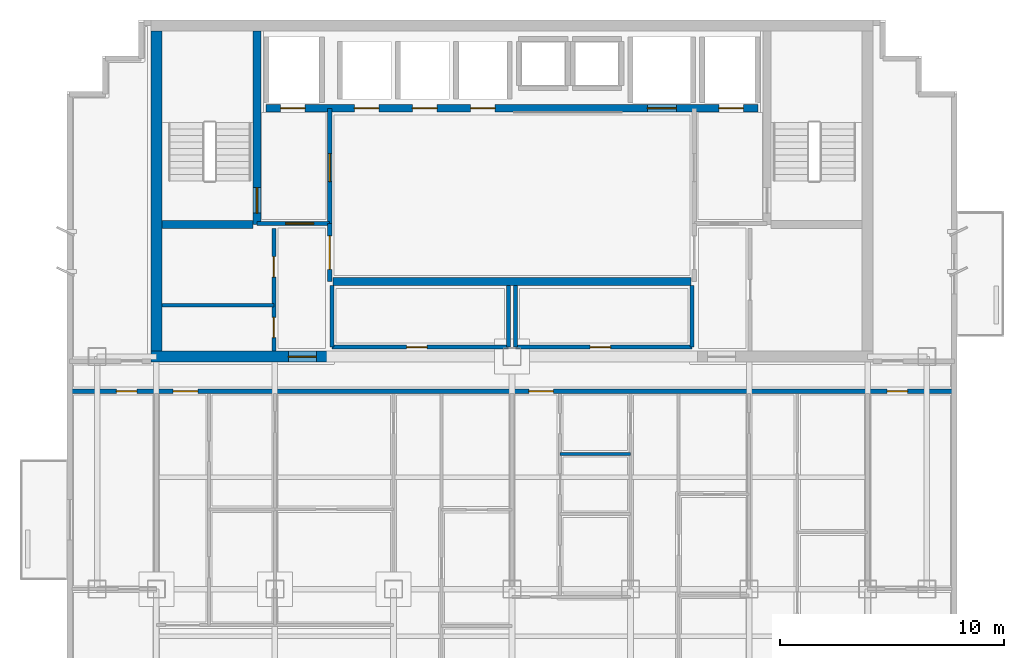
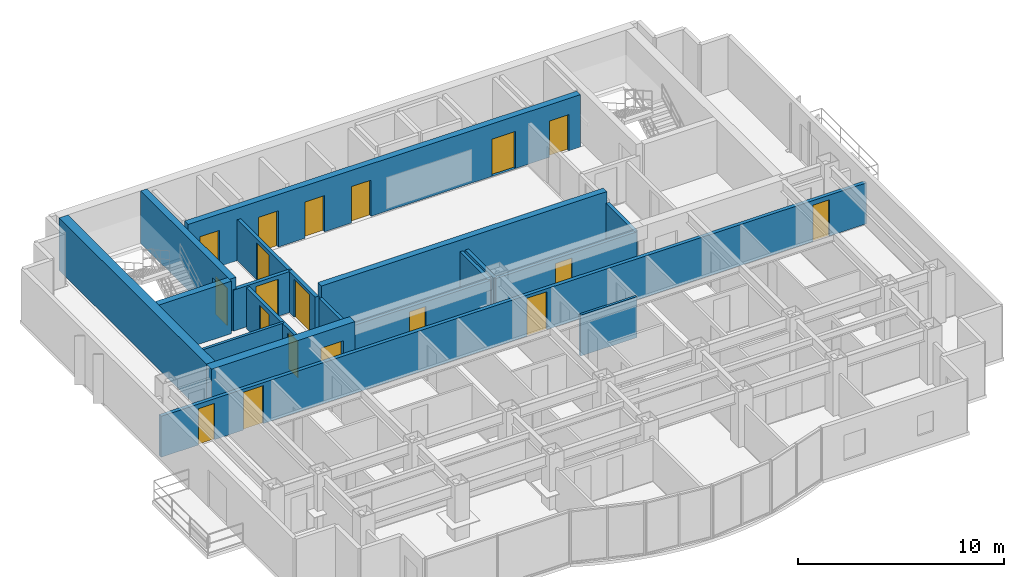
# One storey, part 5 of 9: 19 doors, 19 walls, 19 openings.
"""IFC4 building model written with IfcOpenShell, lengths in metres."""

import ifcopenshell
import ifcopenshell.guid

model = None  # the IFC model being written
_history = None  # IfcOwnerHistory: only IFC2X3 demands one
_inside = {}  # id of a spatial element -> (the spatial element, [elements in it])
_under = {}  # id of a project, library or spatial element -> (it, [spatial elements below it])
_declared = {}  # id of a project -> (the project, [libraries it declares])
_typed = {}  # id of a type object -> (the type object, [elements of that type])
_made_of = {}  # id of a material, layer set ... -> (it, [elements and type objects made of it])


def new_model(schema):
    """Start an empty IFC model of exactly this schema.

    Asked for "IFC4X3", IfcOpenShell would pick the latest addendum, in which some entities
    have other attributes; the version numbers below select the first issue.
    IFC2X3 requires an IfcOwnerHistory on every rooted entity: one is made here for all.
    """
    global model, _history
    if schema == "IFC4X3":
        model = ifcopenshell.file(schema_version=(4, 3, 0, 0))
    else:
        model = ifcopenshell.file(schema=schema)
    _inside.clear()
    _under.clear()
    _declared.clear()
    _typed.clear()
    _made_of.clear()
    _history = None
    if model.schema == "IFC2X3":
        org = make("IfcOrganization", Name="unknown")
        user = make(
            "IfcPersonAndOrganization",
            ThePerson=make("IfcPerson", FamilyName="unknown"),
            TheOrganization=org,
        )
        app = make(
            "IfcApplication",
            ApplicationDeveloper=org,
            Version="unknown",
            ApplicationFullName="unknown",
            ApplicationIdentifier="unknown",
        )
        _history = make(
            "IfcOwnerHistory",
            OwningUser=user,
            OwningApplication=app,
            ChangeAction="ADDED",
            CreationDate=0,
        )
    return model


def make(cls, **values):
    """One entity of the class cls with the attributes given. An attribute that is None is left unset."""
    return model.create_entity(
        cls, **{name: value for name, value in values.items() if value is not None}
    )


def rooted(cls, **values):
    """An entity with a GlobalId (a new one), such as an element, a storey or a relation."""
    return make(cls, GlobalId=ifcopenshell.guid.new(), OwnerHistory=_history, **values)


def si_unit(unit_type, name, prefix=None):
    """IfcSIUnit, for example si_unit("LENGTHUNIT", "METRE", prefix="MILLI")."""
    return make("IfcSIUnit", UnitType=unit_type, Prefix=prefix, Name=name)


def assignment(units):
    """IfcUnitAssignment: the units of a project."""
    return None if units is None else make("IfcUnitAssignment", Units=units)


def point(xyz):
    """IfcCartesianPoint."""
    return None if xyz is None else make("IfcCartesianPoint", Coordinates=xyz)


def direction(xyz):
    """IfcDirection."""
    return None if xyz is None else make("IfcDirection", DirectionRatios=xyz)


def frame(location, z_axis=None, x_axis=None):
    """IfcAxis2Placement3D, a coordinate frame: its origin and axes. An axis left out is left unset."""
    return make(
        "IfcAxis2Placement3D",
        Location=point(location),
        Axis=direction(z_axis),
        RefDirection=direction(x_axis),
    )


def frame_2d(location, x_axis=None):
    """IfcAxis2Placement2D, a coordinate frame in the plane: its origin and x axis."""
    return make(
        "IfcAxis2Placement2D", Location=point(location), RefDirection=direction(x_axis)
    )


def origin():
    """The frame at (0, 0, 0) with its axes left unset."""
    return frame((0.0, 0.0, 0.0))


def place(relative_to, where):
    """IfcLocalPlacement: puts the frame where relative to a parent placement (None: the world)."""
    return make(
        "IfcLocalPlacement", PlacementRelTo=relative_to, RelativePlacement=where
    )


def context(
    kind, dimensions, precision=None, world=None, true_north=None, identifier=None
):
    """IfcGeometricRepresentationContext, for example the 3D "Model" context."""
    return make(
        "IfcGeometricRepresentationContext",
        ContextIdentifier=identifier,
        ContextType=kind,
        CoordinateSpaceDimension=dimensions,
        Precision=precision,
        WorldCoordinateSystem=world,
        TrueNorth=true_north,
    )


def subcontext(parent, identifier, kind, view, scale=None):
    """IfcGeometricRepresentationSubContext, for example "Body" below "Model"."""
    return make(
        "IfcGeometricRepresentationSubContext",
        ContextIdentifier=identifier,
        ContextType=kind,
        ParentContext=parent,
        TargetScale=scale,
        TargetView=view,
    )


def project(units=None, contexts=None):
    """IfcProject with its units and contexts."""
    return rooted(
        "IfcProject",
        Name="project",
        RepresentationContexts=contexts,
        UnitsInContext=assignment(units),
    )


def spatial(cls, under=None, at=None, **own):
    """A site, building, storey or space (cls), placed at a placement, below another one or the project."""
    s = rooted(cls, ObjectPlacement=at, **own)
    if under is not None:
        _under.setdefault(under.id(), (under, []))[1].append(s)
    return s


def profile(cls, at=None, kind="AREA", **sizes):
    """A parametric profile (cls). Its sizes go by their IFC names, for example OverallWidth=200.0."""
    return make(cls, ProfileType=kind, Position=at, **sizes)


def rectangle(**sizes):
    """IfcRectangleProfileDef."""
    return profile("IfcRectangleProfileDef", **sizes)


def extrude(swept, where, along, depth):
    """IfcExtrudedAreaSolid: the profile swept, set in the frame where, extruded along a direction by depth."""
    return make(
        "IfcExtrudedAreaSolid",
        SweptArea=swept,
        Position=where,
        ExtrudedDirection=direction(along),
        Depth=depth,
    )


def shape(context_of_items, identifier, shape_type, items):
    """IfcShapeRepresentation: the items that make up one representation, for example the "Body"."""
    return make(
        "IfcShapeRepresentation",
        ContextOfItems=context_of_items,
        RepresentationIdentifier=identifier,
        RepresentationType=shape_type,
        Items=items,
    )


def material(Name=None, Category=None):
    """IfcMaterial."""
    return make("IfcMaterial", Name=Name, Category=Category)


def layer(
    of_material, thickness, ventilated=None, Name=None, Category=None, Priority=None
):
    """IfcMaterialLayer: one layer of a wall or slab, of a material (None: an air gap)."""
    return make(
        "IfcMaterialLayer",
        Material=of_material,
        LayerThickness=thickness,
        IsVentilated=ventilated,
        Name=Name,
        Category=Category,
        Priority=Priority,
    )


def layer_set(layers, Name=None):
    """IfcMaterialLayerSet."""
    return make("IfcMaterialLayerSet", MaterialLayers=layers, LayerSetName=Name)


def made_of(thing, what):
    """Note that an element or type object is made of a material, layer set ...; save() writes the relation."""
    if what is not None:
        _made_of.setdefault(what.id(), (what, []))[1].append(thing)
    return thing


def type_object(cls, material=None, **own):
    """A type object (cls), such as IfcWallType, which elements share."""
    return made_of(rooted(cls, **own), material)


def element(
    cls,
    number,
    at=None,
    inside=None,
    cuts=None,
    type_object=None,
    material=None,
    context=None,
    identifier="Body",
    shape_type=None,
    held_by="IfcProductDefinitionShape",
    body=None,
    shapes=None,
    **own,
):
    """One element of the class cls, such as IfcWall. Its Tag is "e" and its number.

    at: its placement. inside: the storey or other place that contains it. cuts: it is an
    opening in that element (IfcRelVoidsElement). A single representation is given by context,
    identifier, shape_type and body (its items); several are given by shapes. held_by: the class
    of the entity that holds the representations. save() writes the other relations.
    """
    e = rooted(cls, Tag="e%d" % number, ObjectPlacement=at, **own)
    if body is not None:
        shapes = [shape(context, identifier, shape_type, body)]
    if shapes is not None:
        e.Representation = make(held_by, Representations=shapes)
    if inside is not None:
        _inside.setdefault(inside.id(), (inside, []))[1].append(e)
    if cuts is not None:
        rooted(
            "IfcRelVoidsElement", RelatingBuildingElement=cuts, RelatedOpeningElement=e
        )
    if type_object is not None:
        _typed.setdefault(type_object.id(), (type_object, []))[1].append(e)
    return made_of(e, material)


def fill(opening, filler):
    """IfcRelFillsElement: the door or window that sits in an opening."""
    return rooted(
        "IfcRelFillsElement",
        RelatingOpeningElement=opening,
        RelatedBuildingElement=filler,
    )


def aggregate(whole, parts):
    """IfcRelAggregates: a whole, such as a stair, and the parts it consists of."""
    return rooted("IfcRelAggregates", RelatingObject=whole, RelatedObjects=parts)


def save(model, path):
    """Write the relations noted so far, then the file.

    IfcRelAggregates (storeys below a building ...), IfcRelContainedInSpatialStructure (elements
    in a storey), IfcRelDefinesByType, IfcRelAssociatesMaterial and IfcRelDeclares: one each for
    every whole, place, type object, material and project.
    """
    for whole, parts in _under.values():
        aggregate(whole, parts)
    for where, things in _inside.values():
        rooted(
            "IfcRelContainedInSpatialStructure",
            RelatedElements=things,
            RelatingStructure=where,
        )
    for kind, things in _typed.values():
        rooted("IfcRelDefinesByType", RelatedObjects=things, RelatingType=kind)
    for what, things in _made_of.values():
        rooted("IfcRelAssociatesMaterial", RelatedObjects=things, RelatingMaterial=what)
    for by, libraries in _declared.values():
        rooted("IfcRelDeclares", RelatingContext=by, RelatedDefinitions=libraries)
    model.write(path)


model = new_model("IFC4")

# Units and contexts
model_context = context("Model", 3, precision=1e-05, world=origin(), true_north=direction((0.0, 1.0)))
body_context = subcontext(model_context, "Body", "Model", "MODEL_VIEW")
ifc_project = project(units=[si_unit("LENGTHUNIT", "METRE"), si_unit("AREAUNIT", "SQUARE_METRE"), si_unit("VOLUMEUNIT", "CUBIC_METRE"), si_unit("PLANEANGLEUNIT", "RADIAN"), si_unit("MASSUNIT", "GRAM", prefix="KILO")], contexts=[model_context])

# Site, building, storey
site_placement = place(None, origin())
site = spatial("IfcSite", under=ifc_project, at=site_placement, CompositionType="ELEMENT")
building_placement = place(site_placement, origin())
building = spatial("IfcBuilding", under=site, at=building_placement, Name="Qianlan Lanfeng Residences", CompositionType="ELEMENT")
storey_placement = place(building_placement, frame((0.0, 0.0, 213.199951171875)))
storey = spatial("IfcBuildingStorey", under=building, at=storey_placement, Name="L58", CompositionType="ELEMENT", Elevation=213.199951171875)

# Wall, opening, door
ifc_material_1 = material(Name="Concrete C49", Category="concrete")
ifc_layer_1 = layer(ifc_material_1, 0.35009765625)
ifc_layer_set_1 = layer_set([ifc_layer_1], Name="Concrete C49")
wall_type_1 = type_object("IfcWallType", Name="CW-RC-350", PredefinedType="SHEAR", material=ifc_layer_set_1)
wall_1_placement = place(storey_placement, frame((15.10009765625, 31.10009765625, 0.0), z_axis=(0.0, 0.0, 1.0), x_axis=(0.0, 1.0, 0.0)))
wall_1 = element("IfcWall", 1, at=wall_1_placement, inside=storey, type_object=wall_type_1, Name="L58 Core Shear Wall ST1E", PredefinedType="SHEAR", context=body_context, shape_type="SweptSolid", body=[
    extrude(rectangle(XDim=8.64990234375, YDim=0.35009765625, at=frame_2d((4.324951171875, 0.0))), origin(), (0.0, 0.0, 1.0), 3.110107421875),
])
opening_1_placement = place(wall_1_placement, frame((0.510009765625, 0.0, 0.0)))
opening_1 = element("IfcOpeningElement", 2, at=opening_1_placement, cuts=wall_1, Name="Opening L58-D07", PredefinedType="OPENING", context=body_context, shape_type="SweptSolid", body=[
    extrude(rectangle(XDim=1.14990234375, YDim=2.199951171875, at=frame_2d((0.574951171875, 1.10009765625))), frame((0.0, 0.18505859375, 0.0), z_axis=(0.0, -1.0, 0.0), x_axis=(1.0, 0.0, 0.0)), (0.0, 0.0, 1.0), 0.3701171875),
])
ifc_material_2 = material(Name="Painted Galvanised Steel Fire Door", Category="steel")
door_type_1 = type_object("IfcDoorType", Name="DT-ST1", OperationType="NOTDEFINED", PredefinedType="DOOR", material=ifc_material_2)
door_1_placement = place(opening_1_placement, frame((1.14990234375, 0.0, 0.0), z_axis=(0.0, 0.0, 1.0), x_axis=(-1.0, 0.0, 0.0)))
door_1 = element("IfcDoor", 3, at=door_1_placement, inside=storey, type_object=door_type_1, Name="L58 Exit Stair ST-1 Door L58-D07 (DT-ST1)", OperationType="SINGLE_SWING_RIGHT", OverallHeight=2.199951171875, OverallWidth=1.14990234375, PredefinedType="DOOR", context=body_context, shape_type="SweptSolid", body=[
    extrude(rectangle(XDim=1.14990234375, YDim=2.199951171875, at=frame_2d((0.574951171875, 1.10009765625))), frame((0.0, 0.02490234375, 0.0), z_axis=(0.0, -1.0, 0.0), x_axis=(1.0, 0.0, 0.0)), (0.0, 0.0, 1.0), 0.050048828125),
])
fill(opening_1, door_1)

# Wall
wall_2_placement = place(storey_placement, frame((10.85009765625, 31.10009765625, 0.0), z_axis=(0.0, 0.0, 1.0), x_axis=(1.0, 0.0, 0.0)))
element("IfcWall", 4, at=wall_2_placement, inside=storey, type_object=wall_type_1, Name="L58 Core Shear Wall ST1S", PredefinedType="SHEAR", context=body_context, shape_type="SweptSolid", body=[
    extrude(rectangle(XDim=4.074951171875, YDim=0.35009765625, at=frame_2d((2.03759765625, 0.0))), origin(), (0.0, 0.0, 1.0), 3.110107421875),
])

# Wall, openings, doors
wall_3_placement = place(storey_placement, frame((15.5, 36.300048828125, 0.0), z_axis=(0.0, 0.0, 1.0), x_axis=(1.0, 0.0, 0.0)))
wall_3 = element("IfcWall", 5, at=wall_3_placement, inside=storey, type_object=wall_type_1, Name="L58 Core Shear Wall LBN", PredefinedType="SHEAR", context=body_context, shape_type="SweptSolid", body=[
    extrude(rectangle(XDim=22.0, YDim=0.35009765625, at=frame_2d((11.0, 0.0))), origin(), (0.0, 0.0, 1.0), 3.110107421875),
])
opening_2_placement = place(wall_3_placement, frame((0.64990234375, 0.0, 0.0)))
opening_2 = element("IfcOpeningElement", 6, at=opening_2_placement, cuts=wall_3, Name="Opening L58-LD-FFL-1", PredefinedType="OPENING", context=body_context, shape_type="SweptSolid", body=[
    extrude(rectangle(XDim=1.10009765625, YDim=2.14990234375, at=frame_2d((0.550048828125, 1.074951171875))), frame((0.0, 0.18505859375, 0.0), z_axis=(0.0, -1.0, 0.0), x_axis=(1.0, 0.0, 0.0)), (0.0, 0.0, 1.0), 0.3701171875),
])
opening_3_placement = place(wall_3_placement, frame((20.25, 0.0, 0.0)))
opening_3 = element("IfcOpeningElement", 7, at=opening_3_placement, cuts=wall_3, Name="Opening L58-LD-FFL-2", PredefinedType="OPENING", context=body_context, shape_type="SweptSolid", body=[
    extrude(rectangle(XDim=1.10009765625, YDim=2.14990234375, at=frame_2d((0.550048828125, 1.074951171875))), frame((0.0, 0.18505859375, 0.0), z_axis=(0.0, -1.0, 0.0), x_axis=(1.0, 0.0, 0.0)), (0.0, 0.0, 1.0), 0.3701171875),
])
opening_4_placement = place(wall_3_placement, frame((17.050048828125, 0.0, 0.0)))
opening_4 = element("IfcOpeningElement", 8, at=opening_4_placement, cuts=wall_3, Name="Opening L58-LD-SVL-1", PredefinedType="OPENING", context=body_context, shape_type="SweptSolid", body=[
    extrude(rectangle(XDim=1.300048828125, YDim=2.199951171875, at=frame_2d((0.64990234375, 1.10009765625))), frame((0.0, 0.18505859375, 0.0), z_axis=(0.0, -1.0, 0.0), x_axis=(1.0, 0.0, 0.0)), (0.0, 0.0, 1.0), 0.3701171875),
])
opening_5_placement = place(wall_3_placement, frame((3.949951171875, 0.0, 0.0)))
opening_5 = element("IfcOpeningElement", 9, at=opening_5_placement, cuts=wall_3, Name="Opening L58-LD-PL-H1", PredefinedType="OPENING", context=body_context, shape_type="SweptSolid", body=[
    extrude(rectangle(XDim=1.10009765625, YDim=2.14990234375, at=frame_2d((0.550048828125, 1.074951171875))), frame((0.0, 0.18505859375, 0.0), z_axis=(0.0, -1.0, 0.0), x_axis=(1.0, 0.0, 0.0)), (0.0, 0.0, 1.0), 0.3701171875),
])
opening_6_placement = place(wall_3_placement, frame((6.550048828125, 0.0, 0.0)))
opening_6 = element("IfcOpeningElement", 10, at=opening_6_placement, cuts=wall_3, Name="Opening L58-LD-PL-H2", PredefinedType="OPENING", context=body_context, shape_type="SweptSolid", body=[
    extrude(rectangle(XDim=1.10009765625, YDim=2.14990234375, at=frame_2d((0.550048828125, 1.074951171875))), frame((0.0, 0.18505859375, 0.0), z_axis=(0.0, -1.0, 0.0), x_axis=(1.0, 0.0, 0.0)), (0.0, 0.0, 1.0), 0.3701171875),
])
opening_7_placement = place(wall_3_placement, frame((9.14990234375, 0.0, 0.0)))
opening_7 = element("IfcOpeningElement", 11, at=opening_7_placement, cuts=wall_3, Name="Opening L58-LD-PL-H3", PredefinedType="OPENING", context=body_context, shape_type="SweptSolid", body=[
    extrude(rectangle(XDim=1.10009765625, YDim=2.14990234375, at=frame_2d((0.550048828125, 1.074951171875))), frame((0.0, 0.18505859375, 0.0), z_axis=(0.0, -1.0, 0.0), x_axis=(1.0, 0.0, 0.0)), (0.0, 0.0, 1.0), 0.3701171875),
])
ifc_material_3 = material(Name="Brushed Stainless Steel Sliding Lift Door", Category="steel")
door_type_2 = type_object("IfcDoorType", Name="LD-01", OperationType="NOTDEFINED", PredefinedType="DOOR", material=ifc_material_3)
door_2_placement = place(opening_2_placement, frame((1.10009765625, 0.0, 0.0), z_axis=(0.0, 0.0, 1.0), x_axis=(-1.0, 0.0, 0.0)))
door_2 = element("IfcDoor", 12, at=door_2_placement, inside=storey, type_object=door_type_2, Name="L58 Elevator FFL-1 Sliding Landing Door", OperationType="DOUBLE_DOOR_SLIDING", OverallHeight=2.14990234375, OverallWidth=1.10009765625, PredefinedType="DOOR", context=body_context, shape_type="SweptSolid", body=[
    extrude(rectangle(XDim=1.10009765625, YDim=2.14990234375, at=frame_2d((0.550048828125, 1.074951171875))), frame((0.0, 0.02490234375, 0.0), z_axis=(0.0, -1.0, 0.0), x_axis=(1.0, 0.0, 0.0)), (0.0, 0.0, 1.0), 0.050048828125),
])
fill(opening_2, door_2)
door_3_placement = place(opening_3_placement, frame((1.10009765625, 0.0, 0.0), z_axis=(0.0, 0.0, 1.0), x_axis=(-1.0, 0.0, 0.0)))
door_3 = element("IfcDoor", 13, at=door_3_placement, inside=storey, type_object=door_type_2, Name="L58 Elevator FFL-2 Sliding Landing Door", OperationType="DOUBLE_DOOR_SLIDING", OverallHeight=2.14990234375, OverallWidth=1.10009765625, PredefinedType="DOOR", context=body_context, shape_type="SweptSolid", body=[
    extrude(rectangle(XDim=1.10009765625, YDim=2.14990234375, at=frame_2d((0.550048828125, 1.074951171875))), frame((0.0, 0.02490234375, 0.0), z_axis=(0.0, -1.0, 0.0), x_axis=(1.0, 0.0, 0.0)), (0.0, 0.0, 1.0), 0.050048828125),
])
fill(opening_3, door_3)
door_4_placement = place(opening_5_placement, frame((1.10009765625, 0.0, 0.0), z_axis=(0.0, 0.0, 1.0), x_axis=(-1.0, 0.0, 0.0)))
door_4 = element("IfcDoor", 14, at=door_4_placement, inside=storey, type_object=door_type_2, Name="L58 Elevator PL-H1 Sliding Landing Door", OperationType="DOUBLE_DOOR_SLIDING", OverallHeight=2.14990234375, OverallWidth=1.10009765625, PredefinedType="DOOR", context=body_context, shape_type="SweptSolid", body=[
    extrude(rectangle(XDim=1.10009765625, YDim=2.14990234375, at=frame_2d((0.550048828125, 1.074951171875))), frame((0.0, 0.02490234375, 0.0), z_axis=(0.0, -1.0, 0.0), x_axis=(1.0, 0.0, 0.0)), (0.0, 0.0, 1.0), 0.050048828125),
])
fill(opening_5, door_4)
door_5_placement = place(opening_6_placement, frame((1.10009765625, 0.0, 0.0), z_axis=(0.0, 0.0, 1.0), x_axis=(-1.0, 0.0, 0.0)))
door_5 = element("IfcDoor", 15, at=door_5_placement, inside=storey, type_object=door_type_2, Name="L58 Elevator PL-H2 Sliding Landing Door", OperationType="DOUBLE_DOOR_SLIDING", OverallHeight=2.14990234375, OverallWidth=1.10009765625, PredefinedType="DOOR", context=body_context, shape_type="SweptSolid", body=[
    extrude(rectangle(XDim=1.10009765625, YDim=2.14990234375, at=frame_2d((0.550048828125, 1.074951171875))), frame((0.0, 0.02490234375, 0.0), z_axis=(0.0, -1.0, 0.0), x_axis=(1.0, 0.0, 0.0)), (0.0, 0.0, 1.0), 0.050048828125),
])
fill(opening_6, door_5)
door_6_placement = place(opening_7_placement, frame((1.10009765625, 0.0, 0.0), z_axis=(0.0, 0.0, 1.0), x_axis=(-1.0, 0.0, 0.0)))
door_6 = element("IfcDoor", 16, at=door_6_placement, inside=storey, type_object=door_type_2, Name="L58 Elevator PL-H3 Sliding Landing Door", OperationType="DOUBLE_DOOR_SLIDING", OverallHeight=2.14990234375, OverallWidth=1.10009765625, PredefinedType="DOOR", context=body_context, shape_type="SweptSolid", body=[
    extrude(rectangle(XDim=1.10009765625, YDim=2.14990234375, at=frame_2d((0.550048828125, 1.074951171875))), frame((0.0, 0.02490234375, 0.0), z_axis=(0.0, -1.0, 0.0), x_axis=(1.0, 0.0, 0.0)), (0.0, 0.0, 1.0), 0.050048828125),
])
fill(opening_7, door_6)
door_type_3 = type_object("IfcDoorType", Name="LD-02", OperationType="NOTDEFINED", PredefinedType="DOOR", material=ifc_material_3)
door_7_placement = place(opening_4_placement, frame((1.300048828125, 0.0, 0.0), z_axis=(0.0, 0.0, 1.0), x_axis=(-1.0, 0.0, 0.0)))
door_7 = element("IfcDoor", 17, at=door_7_placement, inside=storey, type_object=door_type_3, Name="L58 Elevator SVL-1 Sliding Landing Door", OperationType="DOUBLE_DOOR_SLIDING", OverallHeight=2.199951171875, OverallWidth=1.300048828125, PredefinedType="DOOR", context=body_context, shape_type="SweptSolid", body=[
    extrude(rectangle(XDim=1.300048828125, YDim=2.199951171875, at=frame_2d((0.64990234375, 1.10009765625))), frame((0.0, 0.02490234375, 0.0), z_axis=(0.0, -1.0, 0.0), x_axis=(1.0, 0.0, 0.0)), (0.0, 0.0, 1.0), 0.050048828125),
])
fill(opening_4, door_7)

# Walls
wall_4_placement = place(storey_placement, frame((18.5, 28.550048828125, 0.0), z_axis=(0.0, 0.0, 1.0), x_axis=(1.0, 0.0, 0.0)))
element("IfcWall", 18, at=wall_4_placement, inside=storey, type_object=wall_type_1, Name="L58 Core Shear Wall LBS", PredefinedType="SHEAR", context=body_context, shape_type="SweptSolid", body=[
    extrude(rectangle(XDim=16.0, YDim=0.35009765625, at=frame_2d((8.0, 0.0))), origin(), (0.0, 0.0, 1.0), 3.110107421875),
])
ifc_material_4 = material(Name="Concrete C70", Category="concrete")
ifc_layer_2 = layer(ifc_material_4, 0.5)
ifc_layer_set_2 = layer_set([ifc_layer_2], Name="Concrete C70")
wall_type_2 = type_object("IfcWallType", Name="CW-RC-500", PredefinedType="SHEAR", material=ifc_layer_set_2)
wall_5_placement = place(storey_placement, frame((10.60009765625, 25.449951171875, 0.0), z_axis=(0.0, 0.0, 1.0), x_axis=(0.0, 1.0, 0.0)))
element("IfcWall", 19, at=wall_5_placement, inside=storey, type_object=wall_type_2, Name="L58 Core Shear Wall W", PredefinedType="SHEAR", context=body_context, shape_type="SweptSolid", body=[
    extrude(rectangle(XDim=14.300048828125, YDim=0.5, at=frame_2d((7.14990234375, 0.0))), origin(), (0.0, 0.0, 1.0), 3.110107421875),
])

# Wall, opening, door
wall_6_placement = place(storey_placement, frame((10.35009765625, 25.199951171875, 0.0), z_axis=(0.0, 0.0, 1.0), x_axis=(1.0, 0.0, 0.0)))
wall_6 = element("IfcWall", 20, at=wall_6_placement, inside=storey, type_object=wall_type_2, Name="L58 Core Shear Wall SW", PredefinedType="SHEAR", context=body_context, shape_type="SweptSolid", body=[
    extrude(rectangle(XDim=8.0498046875, YDim=0.5, at=frame_2d((4.02490234375, 0.0))), origin(), (0.0, 0.0, 1.0), 3.110107421875),
])
opening_8_placement = place(wall_6_placement, frame((6.14990234375, 0.0, 0.0)))
opening_8 = element("IfcOpeningElement", 21, at=opening_8_placement, cuts=wall_6, Name="Opening L58-D01", PredefinedType="OPENING", context=body_context, shape_type="SweptSolid", body=[
    extrude(rectangle(XDim=1.25, YDim=2.199951171875, at=frame_2d((0.625, 1.10009765625))), frame((0.0, 0.260009765625, 0.0), z_axis=(0.0, -1.0, 0.0), x_axis=(1.0, 0.0, 0.0)), (0.0, 0.0, 1.0), 0.52001953125),
])
door_type_4 = type_object("IfcDoorType", Name="DT-FFL", OperationType="NOTDEFINED", PredefinedType="DOOR", material=ifc_material_2)
door_8_placement = place(opening_8_placement, frame((1.25, 0.0, 0.0), z_axis=(0.0, 0.0, 1.0), x_axis=(-1.0, 0.0, 0.0)))
door_8 = element("IfcDoor", 22, at=door_8_placement, inside=storey, type_object=door_type_4, Name="L58 West Core Lobby Smoke Door L58-D01 (DT-FFL)", OperationType="SINGLE_SWING_RIGHT", OverallHeight=2.199951171875, OverallWidth=1.25, PredefinedType="DOOR", context=body_context, shape_type="SweptSolid", body=[
    extrude(rectangle(XDim=1.25, YDim=2.199951171875, at=frame_2d((0.625, 1.10009765625))), frame((0.0, 0.02490234375, 0.0), z_axis=(0.0, -1.0, 0.0), x_axis=(1.0, 0.0, 0.0)), (0.0, 0.0, 1.0), 0.050048828125),
])
fill(opening_8, door_8)

# Walls
ifc_material_5 = material(Name="Moisture-Resistant Gypsum Partition 135 mm")
ifc_layer_3 = layer(ifc_material_5, 0.135009765625)
ifc_layer_set_3 = layer_set([ifc_layer_3], Name="Moisture-Resistant Gypsum Partition 135 mm")
wall_type_3 = type_object("IfcWallType", Name="PW-135", PredefinedType="PARTITIONING", material=ifc_layer_set_3)
wall_7_placement = place(storey_placement, frame((28.64990234375, 20.85009765625, 0.0), z_axis=(0.0, 0.0, 1.0), x_axis=(1.0, 0.0, 0.0)))
element("IfcWall", 23, at=wall_7_placement, inside=storey, type_object=wall_type_3, Name="L58 U02 Bathroom South Wall", PredefinedType="PARTITIONING", context=body_context, shape_type="SweptSolid", body=[
    extrude(rectangle(XDim=3.150146484375, YDim=0.135009765625, at=frame_2d((1.5751953125, 0.0))), origin(), (0.0, 0.0, 1.0), 2.429931640625),
])
ifc_material_6 = material(Name="Acoustic Drywall Partition 150 mm")
ifc_layer_4 = layer(ifc_material_6, 0.14990234375)
ifc_layer_set_4 = layer_set([ifc_layer_4], Name="Acoustic Drywall Partition 150 mm")
wall_type_4 = type_object("IfcWallType", Name="PW-150", PredefinedType="PARTITIONING", material=ifc_layer_set_4)
wall_8_placement = place(storey_placement, frame((10.85009765625, 27.5, 0.0), z_axis=(0.0, 0.0, 1.0), x_axis=(1.0, 0.0, 0.0)))
element("IfcWall", 24, at=wall_8_placement, inside=storey, type_object=wall_type_4, Name="L58 Core West Split", PredefinedType="PARTITIONING", context=body_context, shape_type="SweptSolid", body=[
    extrude(rectangle(XDim=5.0, YDim=0.14990234375, at=frame_2d((2.5, 0.0))), origin(), (0.0, 0.0, 1.0), 2.429931640625),
])

# Wall, openings, doors
ifc_material_7 = material(Name="Double-Layer Acoustic Gypsum Stud Wall 180 mm")
ifc_layer_5 = layer(ifc_material_7, 0.179931640625)
ifc_layer_set_5 = layer_set([ifc_layer_5], Name="Double-Layer Acoustic Gypsum Stud Wall 180 mm")
wall_type_5 = type_object("IfcWallType", Name="PW-180", PredefinedType="PARTITIONING", material=ifc_layer_set_5)
wall_9_placement = place(storey_placement, frame((15.85009765625, 25.449951171875, 0.0), z_axis=(0.0, 0.0, 1.0), x_axis=(0.0, 1.0, 0.0)))
wall_9 = element("IfcWall", 25, at=wall_9_placement, inside=storey, type_object=wall_type_5, Name="L58 Core West Service Room Wall", PredefinedType="PARTITIONING", context=body_context, shape_type="SweptSolid", body=[
    extrude(rectangle(XDim=5.47509765625, YDim=0.179931640625, at=frame_2d((2.737548828125, 0.0))), origin(), (0.0, 0.0, 1.0), 2.429931640625),
])
opening_9_placement = place(wall_9_placement, frame((0.60009765625, 0.0, 0.0)))
opening_9 = element("IfcOpeningElement", 26, at=opening_9_placement, cuts=wall_9, Name="Opening L58-D09", PredefinedType="OPENING", context=body_context, shape_type="SweptSolid", body=[
    extrude(rectangle(XDim=0.89990234375, YDim=2.14990234375, at=frame_2d((0.449951171875, 1.074951171875))), frame((0.0, 0.10009765625, 0.0), z_axis=(0.0, -1.0, 0.0), x_axis=(1.0, 0.0, 0.0)), (0.0, 0.0, 1.0), 0.199951171875),
])
opening_10_placement = place(wall_9_placement, frame((3.302001953125, 0.0, 0.0)))
opening_10 = element("IfcOpeningElement", 27, at=opening_10_placement, cuts=wall_9, Name="Opening L58-D10", PredefinedType="OPENING", context=body_context, shape_type="SweptSolid", body=[
    extrude(rectangle(XDim=0.919921875, YDim=2.14990234375, at=frame_2d((0.4599609375, 1.074951171875))), frame((0.0, 0.10009765625, 0.0), z_axis=(0.0, -1.0, 0.0), x_axis=(1.0, 0.0, 0.0)), (0.0, 0.0, 1.0), 0.199951171875),
])
ifc_material_8 = material(Name="Glazed Timber Kitchen/Study Door", Category="wood")
door_type_5 = type_object("IfcDoorType", Name="DT-INT", OperationType="NOTDEFINED", PredefinedType="DOOR", material=ifc_material_8)
door_9_placement = place(opening_10_placement, origin())
door_9 = element("IfcDoor", 28, at=door_9_placement, inside=storey, type_object=door_type_5, Name="L58 Janitor Closet Door L58-D10 (DT-INT)", OperationType="SINGLE_SWING_RIGHT", OverallHeight=2.14990234375, OverallWidth=0.919921875, PredefinedType="DOOR", context=body_context, shape_type="SweptSolid", body=[
    extrude(rectangle(XDim=0.919921875, YDim=2.14990234375, at=frame_2d((0.4599609375, 1.074951171875))), frame((0.0, 0.02490234375, 0.0), z_axis=(0.0, -1.0, 0.0), x_axis=(1.0, 0.0, 0.0)), (0.0, 0.0, 1.0), 0.050048828125),
])
fill(opening_10, door_9)
ifc_material_9 = material(Name="Moisture-Resistant Timber Leaf", Category="wood")
door_type_6 = type_object("IfcDoorType", Name="DT-WC", OperationType="NOTDEFINED", PredefinedType="DOOR", material=ifc_material_9)
door_10_placement = place(opening_9_placement, frame((0.89990234375, 0.0, 0.0), z_axis=(0.0, 0.0, 1.0), x_axis=(-1.0, 0.0, 0.0)))
door_10 = element("IfcDoor", 29, at=door_10_placement, inside=storey, type_object=door_type_6, Name="L58 Core Staff WC Door L58-D09 (DT-WC)", OperationType="SINGLE_SWING_RIGHT", OverallHeight=2.14990234375, OverallWidth=0.89990234375, PredefinedType="DOOR", context=body_context, shape_type="SweptSolid", body=[
    extrude(rectangle(XDim=0.89990234375, YDim=2.14990234375, at=frame_2d((0.449951171875, 1.074951171875))), frame((0.0, 0.02490234375, 0.0), z_axis=(0.0, -1.0, 0.0), x_axis=(1.0, 0.0, 0.0)), (0.0, 0.0, 1.0), 0.050048828125),
])
fill(opening_9, door_10)

# Walls
for number, where, z_axis, x_axis, name in (
    (30, (18.449951171875, 25.6201171875, 0.0), (0.0, 0.0, 1.0), (0.0, 1.0, 0.0), "L58 Reclaimed Low-Bank Room West Wall"),
    (31, (26.35009765625, 25.6201171875, 0.0), (0.0, 0.0, 1.0), (0.0, 1.0, 0.0), "L58 Reclaimed Low-Bank Room East Wall"),
):
    element("IfcWall", number, at=place(storey_placement, frame(where, z_axis=z_axis, x_axis=x_axis)), inside=storey, type_object=wall_type_5, Name=name, PredefinedType="PARTITIONING", context=body_context, shape_type="SweptSolid", body=[
        extrude(rectangle(XDim=2.7548828125, YDim=0.179931640625, at=frame_2d((1.37744140625, 0.0))), origin(), (0.0, 0.0, 1.0), 2.429931640625),
    ])

# Wall, opening, door
wall_10_placement = place(storey_placement, frame((18.449951171875, 25.6201171875, 0.0), z_axis=(0.0, 0.0, 1.0), x_axis=(1.0, 0.0, 0.0)))
wall_10 = element("IfcWall", 32, at=wall_10_placement, inside=storey, type_object=wall_type_5, Name="L58 Reclaimed Low-Bank Room South Wall", PredefinedType="PARTITIONING", context=body_context, shape_type="SweptSolid", body=[
    extrude(rectangle(XDim=7.900146484375, YDim=0.179931640625, at=frame_2d((3.9501953125, 0.0))), origin(), (0.0, 0.0, 1.0), 2.429931640625),
])
opening_11_placement = place(wall_10_placement, frame((3.340087890625, 0.0, 0.0)))
opening_11 = element("IfcOpeningElement", 33, at=opening_11_placement, cuts=wall_10, Name="Opening L58-D14", PredefinedType="OPENING", context=body_context, shape_type="SweptSolid", body=[
    extrude(rectangle(XDim=0.919921875, YDim=2.14990234375, at=frame_2d((0.4599609375, 1.074951171875))), frame((0.0, 0.10009765625, 0.0), z_axis=(0.0, -1.0, 0.0), x_axis=(1.0, 0.0, 0.0)), (0.0, 0.0, 1.0), 0.199951171875),
])
door_11_placement = place(opening_11_placement, origin())
door_11 = element("IfcDoor", 34, at=door_11_placement, inside=storey, type_object=door_type_5, Name="L58 Reclaimed Core Salon Door L58-D14 (DT-INT)", OperationType="SINGLE_SWING_RIGHT", OverallHeight=2.14990234375, OverallWidth=0.919921875, PredefinedType="DOOR", context=body_context, shape_type="SweptSolid", body=[
    extrude(rectangle(XDim=0.919921875, YDim=2.14990234375, at=frame_2d((0.4599609375, 1.074951171875))), frame((0.0, 0.02490234375, 0.0), z_axis=(0.0, -1.0, 0.0), x_axis=(1.0, 0.0, 0.0)), (0.0, 0.0, 1.0), 0.050048828125),
])
fill(opening_11, door_11)

# Walls
for number, where, z_axis, x_axis, name in (
    (35, (26.64990234375, 25.6201171875, 0.0), (0.0, 0.0, 1.0), (0.0, 1.0, 0.0), "L58 Reclaimed Mid-Bank Room West Wall"),
    (36, (34.550048828125, 25.6201171875, 0.0), (0.0, 0.0, 1.0), (0.0, 1.0, 0.0), "L58 Reclaimed Mid-Bank Room East Wall"),
):
    element("IfcWall", number, at=place(storey_placement, frame(where, z_axis=z_axis, x_axis=x_axis)), inside=storey, type_object=wall_type_5, Name=name, PredefinedType="PARTITIONING", context=body_context, shape_type="SweptSolid", body=[
        extrude(rectangle(XDim=2.7548828125, YDim=0.179931640625, at=frame_2d((1.37744140625, 0.0))), origin(), (0.0, 0.0, 1.0), 2.429931640625),
    ])

# Wall, opening, door
wall_11_placement = place(storey_placement, frame((26.64990234375, 25.6201171875, 0.0), z_axis=(0.0, 0.0, 1.0), x_axis=(1.0, 0.0, 0.0)))
wall_11 = element("IfcWall", 37, at=wall_11_placement, inside=storey, type_object=wall_type_5, Name="L58 Reclaimed Mid-Bank Room South Wall", PredefinedType="PARTITIONING", context=body_context, shape_type="SweptSolid", body=[
    extrude(rectangle(XDim=7.900146484375, YDim=0.179931640625, at=frame_2d((3.9501953125, 0.0))), origin(), (0.0, 0.0, 1.0), 2.429931640625),
])
opening_12_placement = place(wall_11_placement, frame((3.340087890625, 0.0, 0.0)))
opening_12 = element("IfcOpeningElement", 38, at=opening_12_placement, cuts=wall_11, Name="Opening L58-D15", PredefinedType="OPENING", context=body_context, shape_type="SweptSolid", body=[
    extrude(rectangle(XDim=0.919921875, YDim=2.14990234375, at=frame_2d((0.4599609375, 1.074951171875))), frame((0.0, 0.10009765625, 0.0), z_axis=(0.0, -1.0, 0.0), x_axis=(1.0, 0.0, 0.0)), (0.0, 0.0, 1.0), 0.199951171875),
])
door_12_placement = place(opening_12_placement, origin())
door_12 = element("IfcDoor", 39, at=door_12_placement, inside=storey, type_object=door_type_5, Name="L58 Reclaimed Mid-Bank Salon Door L58-D15 (DT-INT)", OperationType="SINGLE_SWING_LEFT", OverallHeight=2.14990234375, OverallWidth=0.919921875, PredefinedType="DOOR", context=body_context, shape_type="SweptSolid", body=[
    extrude(rectangle(XDim=0.919921875, YDim=2.14990234375, at=frame_2d((0.4599609375, 1.074951171875))), frame((0.0, 0.02490234375, 0.0), z_axis=(0.0, -1.0, 0.0), x_axis=(1.0, 0.0, 0.0)), (0.0, 0.0, 1.0), 0.050048828125),
])
fill(opening_12, door_12)

ifc_material_10 = material(Name="Autoclaved Aerated Concrete Blockwork 200 mm", Category="masonry")
ifc_layer_6 = layer(ifc_material_10, 0.199951171875)
ifc_layer_set_6 = layer_set([ifc_layer_6], Name="Autoclaved Aerated Concrete Blockwork 200 mm")
wall_type_6 = type_object("IfcWallType", Name="PW-200", PredefinedType="PARTITIONING", material=ifc_layer_set_6)
wall_12_placement = place(storey_placement, frame((15.10009765625, 31.14990234375, 0.0), z_axis=(0.0, 0.0, 1.0), x_axis=(1.0, 0.0, 0.0)))
wall_12 = element("IfcWall", 40, at=wall_12_placement, inside=storey, type_object=wall_type_6, Name="L58 Firefighting Lobby 1 South Wall", PredefinedType="PARTITIONING", context=body_context, shape_type="SweptSolid", body=[
    extrude(rectangle(XDim=3.25, YDim=0.199951171875, at=frame_2d((1.625, 0.0))), origin(), (0.0, 0.0, 1.0), 2.429931640625),
])
opening_13_placement = place(wall_12_placement, frame((1.27490234375, 0.0, 0.0)))
opening_13 = element("IfcOpeningElement", 41, at=opening_13_placement, cuts=wall_12, Name="Opening L58-D03", PredefinedType="OPENING", context=body_context, shape_type="SweptSolid", body=[
    extrude(rectangle(XDim=1.25, YDim=2.199951171875, at=frame_2d((0.625, 1.10009765625))), frame((0.0, 0.10986328125, 0.0), z_axis=(0.0, -1.0, 0.0), x_axis=(1.0, 0.0, 0.0)), (0.0, 0.0, 1.0), 0.219970703125),
])
door_13_placement = place(opening_13_placement, origin())
door_13 = element("IfcDoor", 42, at=door_13_placement, inside=storey, type_object=door_type_4, Name="L58 Firefighting Lobby 1 Entry Door L58-D03 (DT-FFL)", OperationType="SINGLE_SWING_LEFT", OverallHeight=2.199951171875, OverallWidth=1.25, PredefinedType="DOOR", context=body_context, shape_type="SweptSolid", body=[
    extrude(rectangle(XDim=1.25, YDim=2.199951171875, at=frame_2d((0.625, 1.10009765625))), frame((0.0, 0.02490234375, 0.0), z_axis=(0.0, -1.0, 0.0), x_axis=(1.0, 0.0, 0.0)), (0.0, 0.0, 1.0), 0.050048828125),
])
fill(opening_13, door_13)

wall_13_placement = place(storey_placement, frame((18.35009765625, 31.14990234375, 0.0), z_axis=(0.0, 0.0, 1.0), x_axis=(0.0, 1.0, 0.0)))
wall_13 = element("IfcWall", 43, at=wall_13_placement, inside=storey, type_object=wall_type_6, Name="L58 Firefighting Lobby 1 East Wall", PredefinedType="PARTITIONING", context=body_context, shape_type="SweptSolid", body=[
    extrude(rectangle(XDim=5.150146484375, YDim=0.199951171875, at=frame_2d((2.5751953125, 0.0))), origin(), (0.0, 0.0, 1.0), 2.429931640625),
])
opening_14_placement = place(wall_13_placement, frame((1.875, 0.0, 0.0)))
opening_14 = element("IfcOpeningElement", 44, at=opening_14_placement, cuts=wall_13, Name="Opening L58-D04", PredefinedType="OPENING", context=body_context, shape_type="SweptSolid", body=[
    extrude(rectangle(XDim=1.25, YDim=2.199951171875, at=frame_2d((0.625, 1.10009765625))), frame((0.0, 0.10986328125, 0.0), z_axis=(0.0, -1.0, 0.0), x_axis=(1.0, 0.0, 0.0)), (0.0, 0.0, 1.0), 0.219970703125),
])
door_14_placement = place(opening_14_placement, origin())
door_14 = element("IfcDoor", 45, at=door_14_placement, inside=storey, type_object=door_type_4, Name="L58 Firefighting Lobby 1 Lift Lobby Door L58-D04 (DT-FFL)", OperationType="SINGLE_SWING_RIGHT", OverallHeight=2.199951171875, OverallWidth=1.25, PredefinedType="DOOR", context=body_context, shape_type="SweptSolid", body=[
    extrude(rectangle(XDim=1.25, YDim=2.199951171875, at=frame_2d((0.625, 1.10009765625))), frame((0.0, 0.02490234375, 0.0), z_axis=(0.0, -1.0, 0.0), x_axis=(1.0, 0.0, 0.0)), (0.0, 0.0, 1.0), 0.050048828125),
])
fill(opening_14, door_14)

wall_14_placement = place(storey_placement, frame((18.35009765625, 28.550048828125, 0.0), z_axis=(0.0, 0.0, 1.0), x_axis=(0.0, 1.0, 0.0)))
wall_14 = element("IfcWall", 46, at=wall_14_placement, inside=storey, type_object=wall_type_6, Name="L58 Lift Lobby West Connector Wall", PredefinedType="PARTITIONING", context=body_context, shape_type="SweptSolid", body=[
    extrude(rectangle(XDim=2.599853515625, YDim=0.199951171875, at=frame_2d((1.2998046875, 0.0))), origin(), (0.0, 0.0, 1.0), 2.429931640625),
])
opening_15_placement = place(wall_14_placement, frame((0.550048828125, 0.0, 0.0)))
opening_15 = element("IfcOpeningElement", 47, at=opening_15_placement, cuts=wall_14, Name="Opening L58-D12", PredefinedType="OPENING", context=body_context, shape_type="SweptSolid", body=[
    extrude(rectangle(XDim=1.5, YDim=2.25, at=frame_2d((0.75, 1.125))), frame((0.0, 0.10986328125, 0.0), z_axis=(0.0, -1.0, 0.0), x_axis=(1.0, 0.0, 0.0)), (0.0, 0.0, 1.0), 0.219970703125),
])
ifc_material_11 = material(Name="Timber Veneer Acoustic Fire Door", Category="wood")
door_type_7 = type_object("IfcDoorType", Name="DT-COR1", OperationType="NOTDEFINED", PredefinedType="DOOR", material=ifc_material_11)
door_15_placement = place(opening_15_placement, origin())
door_15 = element("IfcDoor", 48, at=door_15_placement, inside=storey, type_object=door_type_7, Name="L58 Lift Lobby West Portal Door L58-D12 (DT-COR1)", OperationType="DOUBLE_DOOR_SINGLE_SWING", OverallHeight=2.25, OverallWidth=1.5, PredefinedType="DOOR", context=body_context, shape_type="SweptSolid", body=[
    extrude(rectangle(XDim=1.5, YDim=2.25, at=frame_2d((0.75, 1.125))), frame((0.0, 0.02490234375, 0.0), z_axis=(0.0, -1.0, 0.0), x_axis=(1.0, 0.0, 0.0)), (0.0, 0.0, 1.0), 0.050048828125),
])
fill(opening_15, door_15)

# Wall, openings, doors
wall_15_placement = place(storey_placement, frame((6.719970703125, 23.64990234375, 0.0), z_axis=(0.0, 0.0, 1.0), x_axis=(1.0, 0.0, 0.0)))
wall_15 = element("IfcWall", 49, at=wall_15_placement, inside=storey, type_object=wall_type_6, Name="L58 Residential Corridor South Fire Wall", PredefinedType="PARTITIONING", context=body_context, shape_type="SweptSolid", body=[
    extrude(rectangle(XDim=39.56005859375, YDim=0.199951171875, at=frame_2d((19.780029296875, 0.0))), origin(), (0.0, 0.0, 1.0), 2.429931640625),
])
opening_16_placement = place(wall_15_placement, frame((4.6298828125, 0.0, 0.0)))
opening_16 = element("IfcOpeningElement", 50, at=opening_16_placement, cuts=wall_15, Name="Opening L58-D16", PredefinedType="OPENING", context=body_context, shape_type="SweptSolid", body=[
    extrude(rectangle(XDim=1.10009765625, YDim=2.25, at=frame_2d((0.550048828125, 1.125))), frame((0.0, 0.10986328125, 0.0), z_axis=(0.0, -1.0, 0.0), x_axis=(1.0, 0.0, 0.0)), (0.0, 0.0, 1.0), 0.219970703125),
])
opening_17_placement = place(wall_15_placement, frame((20.530029296875, 0.0, 0.0)))
opening_17 = element("IfcOpeningElement", 51, at=opening_17_placement, cuts=wall_15, Name="Opening L58-D27", PredefinedType="OPENING", context=body_context, shape_type="SweptSolid", body=[
    extrude(rectangle(XDim=1.10009765625, YDim=2.25, at=frame_2d((0.550048828125, 1.125))), frame((0.0, 0.10986328125, 0.0), z_axis=(0.0, -1.0, 0.0), x_axis=(1.0, 0.0, 0.0)), (0.0, 0.0, 1.0), 0.219970703125),
])
opening_18_placement = place(wall_15_placement, frame((2.0849609375, 0.0, 0.0)))
opening_18 = element("IfcOpeningElement", 52, at=opening_18_placement, cuts=wall_15, Name="Opening L58-D42", PredefinedType="OPENING", context=body_context, shape_type="SweptSolid", body=[
    extrude(rectangle(XDim=0.919921875, YDim=2.14990234375, at=frame_2d((0.4599609375, 1.074951171875))), frame((0.0, 0.10986328125, 0.0), z_axis=(0.0, -1.0, 0.0), x_axis=(1.0, 0.0, 0.0)), (0.0, 0.0, 1.0), 0.219970703125),
])
opening_19_placement = place(wall_15_placement, frame((36.554931640625, 0.0, 0.0)))
opening_19 = element("IfcOpeningElement", 53, at=opening_19_placement, cuts=wall_15, Name="Opening L58-D44", PredefinedType="OPENING", context=body_context, shape_type="SweptSolid", body=[
    extrude(rectangle(XDim=0.919921875, YDim=2.14990234375, at=frame_2d((0.4599609375, 1.074951171875))), frame((0.0, 0.10986328125, 0.0), z_axis=(0.0, -1.0, 0.0), x_axis=(1.0, 0.0, 0.0)), (0.0, 0.0, 1.0), 0.219970703125),
])
door_16_placement = place(opening_18_placement, origin())
door_16 = element("IfcDoor", 54, at=door_16_placement, inside=storey, type_object=door_type_5, Name="L58 SWP Corridor Door L58-D42 (DT-INT)", OperationType="SINGLE_SWING_RIGHT", OverallHeight=2.14990234375, OverallWidth=0.919921875, PredefinedType="DOOR", context=body_context, shape_type="SweptSolid", body=[
    extrude(rectangle(XDim=0.919921875, YDim=2.14990234375, at=frame_2d((0.4599609375, 1.074951171875))), frame((0.0, 0.02490234375, 0.0), z_axis=(0.0, -1.0, 0.0), x_axis=(1.0, 0.0, 0.0)), (0.0, 0.0, 1.0), 0.050048828125),
])
fill(opening_18, door_16)
door_17_placement = place(opening_19_placement, origin())
door_17 = element("IfcDoor", 55, at=door_17_placement, inside=storey, type_object=door_type_5, Name="L58 SEP Corridor Door L58-D44 (DT-INT)", OperationType="SINGLE_SWING_RIGHT", OverallHeight=2.14990234375, OverallWidth=0.919921875, PredefinedType="DOOR", context=body_context, shape_type="SweptSolid", body=[
    extrude(rectangle(XDim=0.919921875, YDim=2.14990234375, at=frame_2d((0.4599609375, 1.074951171875))), frame((0.0, 0.02490234375, 0.0), z_axis=(0.0, -1.0, 0.0), x_axis=(1.0, 0.0, 0.0)), (0.0, 0.0, 1.0), 0.050048828125),
])
fill(opening_19, door_17)
ifc_material_12 = material(Name="Solid-Core Oak Veneer Fire Door")
door_type_8 = type_object("IfcDoorType", Name="DT-UNIT", OperationType="NOTDEFINED", PredefinedType="DOOR", material=ifc_material_12)
door_18_placement = place(opening_16_placement, frame((1.10009765625, 0.0, 0.0), z_axis=(0.0, 0.0, 1.0), x_axis=(-1.0, 0.0, 0.0)))
door_18 = element("IfcDoor", 56, at=door_18_placement, inside=storey, type_object=door_type_8, Name="L58 Apartment U01 Entrance Door L58-D16 (DT-UNIT)", OperationType="SINGLE_SWING_RIGHT", OverallHeight=2.25, OverallWidth=1.10009765625, PredefinedType="DOOR", context=body_context, shape_type="SweptSolid", body=[
    extrude(rectangle(XDim=1.10009765625, YDim=2.25, at=frame_2d((0.550048828125, 1.125))), frame((0.0, 0.02490234375, 0.0), z_axis=(0.0, -1.0, 0.0), x_axis=(1.0, 0.0, 0.0)), (0.0, 0.0, 1.0), 0.050048828125),
])
fill(opening_16, door_18)
door_19_placement = place(opening_17_placement, frame((1.10009765625, 0.0, 0.0), z_axis=(0.0, 0.0, 1.0), x_axis=(-1.0, 0.0, 0.0)))
door_19 = element("IfcDoor", 57, at=door_19_placement, inside=storey, type_object=door_type_8, Name="L58 Apartment U02 Entrance Door L58-D27 (DT-UNIT)", OperationType="SINGLE_SWING_RIGHT", OverallHeight=2.25, OverallWidth=1.10009765625, PredefinedType="DOOR", context=body_context, shape_type="SweptSolid", body=[
    extrude(rectangle(XDim=1.10009765625, YDim=2.25, at=frame_2d((0.550048828125, 1.125))), frame((0.0, 0.02490234375, 0.0), z_axis=(0.0, -1.0, 0.0), x_axis=(1.0, 0.0, 0.0)), (0.0, 0.0, 1.0), 0.050048828125),
])
fill(opening_17, door_19)

save(model, "model.ifc")
